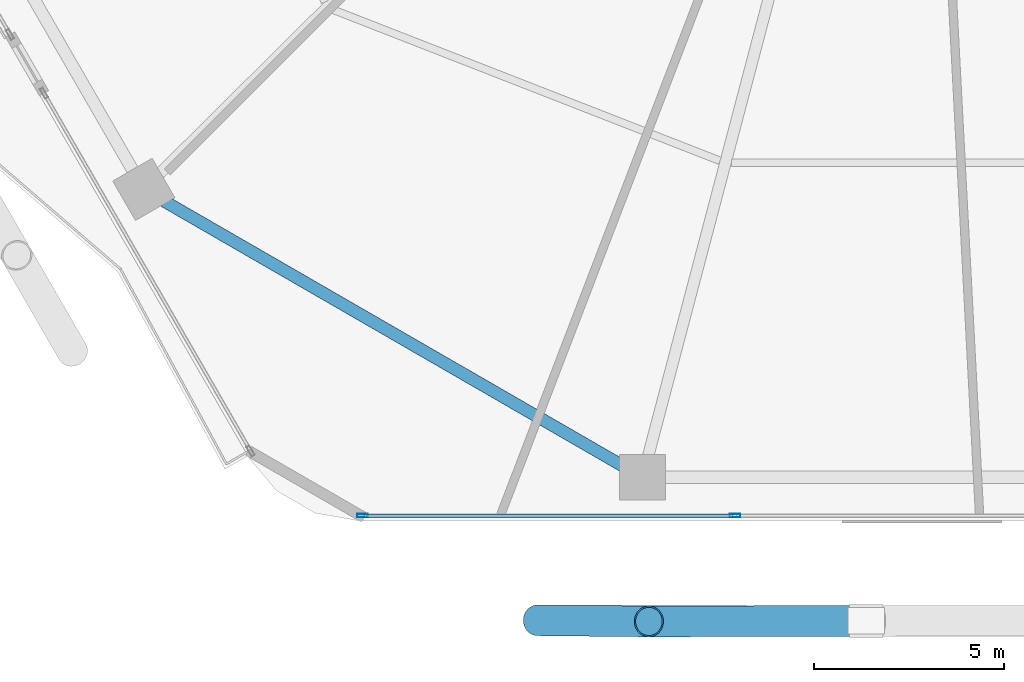
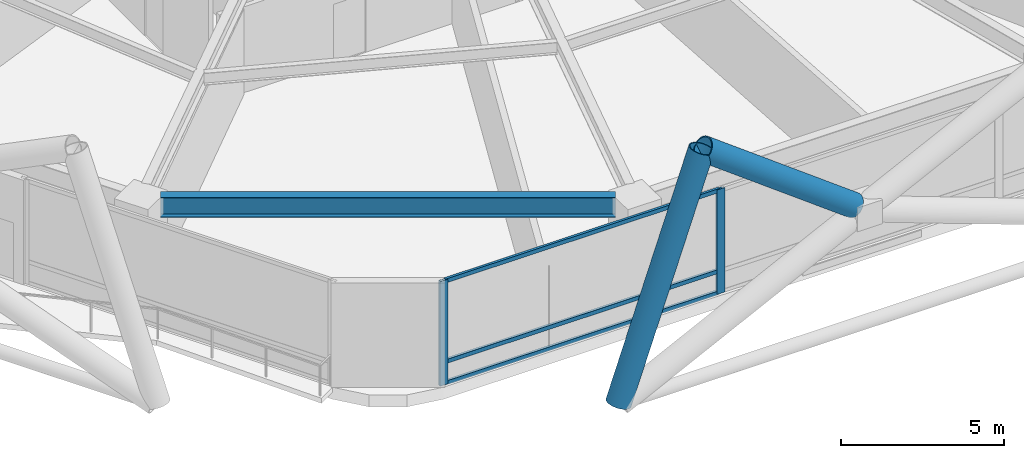
# One storey, part 3 of 31: 7 members, 1 beam, 1 element without a shape of its own.
"""IFC4 building model written with IfcOpenShell, lengths in metres."""

from ifc_helpers import new_model, si_unit, direction, frame, origin, origin_2d, place, context, subcontext, project, spatial, hollow_rectangle, hollow_circle, i_section, extrude, material, material_profile, profile_set, type_object, element, aggregate, save


model = new_model("IFC4")

# Units and contexts
model_context = context("Model", 3, precision=1e-05, world=origin(), true_north=direction((0.0, 1.0)))
body_context = subcontext(model_context, "Body", "Model", "MODEL_VIEW")
ifc_project = project(units=[si_unit("LENGTHUNIT", "METRE"), si_unit("AREAUNIT", "SQUARE_METRE"), si_unit("VOLUMEUNIT", "CUBIC_METRE"), si_unit("PLANEANGLEUNIT", "RADIAN"), si_unit("MASSUNIT", "GRAM", prefix="KILO")], contexts=[model_context])

# Site, building, storey
site_placement = place(None, origin())
site = spatial("IfcSite", under=ifc_project, at=site_placement, CompositionType="ELEMENT")
building_placement = place(site_placement, origin())
building = spatial("IfcBuilding", under=site, at=building_placement, Name="Zuhravey Tower", CompositionType="ELEMENT")
storey_placement = place(building_placement, frame((0.0, 0.0, 7.800048828125)))
storey = spatial("IfcBuildingStorey", under=building, at=storey_placement, Name="L02", CompositionType="ELEMENT", Elevation=7.800048828125)

# Curtain wall, members
ifc_material_1 = material(Name="Thermally broken anodised aluminium", Category="aluminium")
curtain_wall_type = type_object("IfcCurtainWallType", Name="School Low-E Unitised Curtain Wall CW1", PredefinedType="NOTDEFINED", material=ifc_material_1)
curtain_wall_placement = place(storey_placement, origin())
curtain_wall = element("IfcCurtainWall", 1, at=curtain_wall_placement, inside=storey, type_object=curtain_wall_type, Name="L02 CW1 CW-L02-F5-1", PredefinedType="NOTDEFINED")
ifc_material_2 = material(Name="Anodised aluminium", Category="aluminium")
ifc_material_profile_1 = material_profile(ifc_material_2, hollow_rectangle(XDim=0.090087890625, YDim=0.284912109375, WallThickness=0.0048828125, at=origin_2d()), Name="ALU-RHS-90x285x5")
ifc_profile_set_1 = profile_set([ifc_material_profile_1], Name="Anodised aluminium")
member_type_1 = type_object("IfcMemberType", Name="Curtain-Wall Mullion 90x180", PredefinedType="MULLION", material=ifc_profile_set_1)
member_1_placement = place(storey_placement, frame((31.06689453125, 3.04150390625, 0.0), z_axis=(0.0, 0.0, 1.0), x_axis=(0.0, -1.0, 0.0)))
member_1 = element("IfcMember", 2, at=member_1_placement, type_object=member_type_1, Name="CW1 mullion 3", PredefinedType="MULLION", context=body_context, shape_type="SweptSolid", body=[
    extrude(hollow_rectangle(XDim=0.090087890625, YDim=0.284912109375, WallThickness=0.0048828125, at=origin_2d()), origin(), (0.0, 0.0, 1.0), 3.919921875),
])
member_2_placement = place(storey_placement, frame((21.24560546875, 3.04150390625, 0.0), z_axis=(0.0, 0.0, 1.0), x_axis=(0.0, -1.0, 0.0)))
member_2 = element("IfcMember", 3, at=member_2_placement, type_object=member_type_1, Name="CW1 mullion 4", PredefinedType="MULLION", context=body_context, shape_type="SweptSolid", body=[
    extrude(hollow_rectangle(XDim=0.090087890625, YDim=0.284912109375, WallThickness=0.0048828125, at=origin_2d()), origin(), (0.0, 0.0, 1.0), 3.919921875),
])
ifc_material_profile_2 = material_profile(ifc_material_2, hollow_rectangle(XDim=0.090087890625, YDim=0.14990234375, WallThickness=0.0048828125, at=origin_2d()), Name="ALU-RHS-90x150x5")
ifc_profile_set_2 = profile_set([ifc_material_profile_2], Name="Anodised aluminium")
member_type_2 = type_object("IfcMemberType", Name="Curtain-Wall Transom 90x150", PredefinedType="USERDEFINED", material=ifc_profile_set_2)
member_3_placement = place(storey_placement, frame((31.021728515625, 3.04150390625, 0.044921875), z_axis=(-1.0, 0.0, 0.0), x_axis=(0.0, -1.0, 0.0)))
member_3 = element("IfcMember", 4, at=member_3_placement, type_object=member_type_2, Name="CW1 transom 3.1", ObjectType="TRANSOM", PredefinedType="USERDEFINED", context=body_context, shape_type="SweptSolid", body=[
    extrude(hollow_rectangle(XDim=0.090087890625, YDim=0.14990234375, WallThickness=0.0048828125, at=origin_2d()), origin(), (0.0, 0.0, 1.0), 9.731201171875),
])
member_4_placement = place(storey_placement, frame((31.021728515625, 3.04150390625, 0.849853515625), z_axis=(-1.0, 0.0, 0.0), x_axis=(0.0, -1.0, 0.0)))
member_4 = element("IfcMember", 5, at=member_4_placement, type_object=member_type_2, Name="CW1 transom 3.2", ObjectType="TRANSOM", PredefinedType="USERDEFINED", context=body_context, shape_type="SweptSolid", body=[
    extrude(hollow_rectangle(XDim=0.090087890625, YDim=0.14990234375, WallThickness=0.0048828125, at=origin_2d()), origin(), (0.0, 0.0, 1.0), 9.731201171875),
])
member_5_placement = place(storey_placement, frame((31.021728515625, 3.04150390625, 3.875), z_axis=(-1.0, 0.0, 0.0), x_axis=(0.0, -1.0, 0.0)))
member_5 = element("IfcMember", 6, at=member_5_placement, type_object=member_type_2, Name="CW1 transom 3.3", ObjectType="TRANSOM", PredefinedType="USERDEFINED", context=body_context, shape_type="SweptSolid", body=[
    extrude(hollow_rectangle(XDim=0.090087890625, YDim=0.14990234375, WallThickness=0.0048828125, at=origin_2d()), origin(), (0.0, 0.0, 1.0), 9.731201171875),
])
aggregate(curtain_wall, [member_1, member_2, member_3, member_4, member_5])

# Members
ifc_material_3 = material(Name="Steel SM460", Category="steel")
ifc_material_profile_3 = material_profile(ifc_material_3, hollow_circle(Radius=0.406494140625, WallThickness=0.035888671875, at=origin_2d()), Name="CHS-812.8x36")
ifc_profile_set_3 = profile_set([ifc_material_profile_3], Name="Steel SM460")
member_type_3 = type_object("IfcMemberType", Name="Exoskeleton Zone 1 Diagrid CHS813x36", PredefinedType="BRACE", material=ifc_profile_set_3)
member_6_placement = place(storey_placement, frame((25.870849609375, 0.281494140625, -0.64208984375), z_axis=(0.324768383888, -0.003331096666, 0.945787714353), x_axis=(0.010256298411, 0.999947402788, 0.0)))
element("IfcMember", 7, at=member_6_placement, inside=storey, type_object=member_type_3, Name="L02 Face 5 Diagrid Brace 1", PredefinedType="BRACE", context=body_context, shape_type="SweptSolid", body=[
    extrude(hollow_circle(Radius=0.406494140625, WallThickness=0.035888671875, at=origin_2d()), origin(), (0.0, 0.0, 1.0), 9.014892578125),
])
member_7_placement = place(storey_placement, frame((34.211181640625, 0.265625, 3.858642578125), z_axis=(-0.800452617054, -0.002076164869, 0.599392440218), x_axis=(0.002593729899, -0.999996636277, 0.0)))
element("IfcMember", 8, at=member_7_placement, inside=storey, type_object=member_type_3, Name="L02 Face 5 Split Diagrid Brace 3B", PredefinedType="BRACE", context=body_context, shape_type="SweptSolid", body=[
    extrude(hollow_circle(Radius=0.406494140625, WallThickness=0.035888671875, at=origin_2d()), origin(), (0.0, 0.0, 1.0), 6.70263671875),
])

# Beam
ifc_material_4 = material(Name="Steel SM355", Category="steel")
ifc_material_profile_4 = material_profile(ifc_material_4, i_section(OverallWidth=0.320068359375, OverallDepth=0.75, WebThickness=0.013916015625, FlangeThickness=0.02490234375, at=origin_2d()), Name="H-750x320x14x25")
ifc_profile_set_4 = profile_set([ifc_material_profile_4], Name="Steel SM355")
beam_type = type_object("IfcBeamType", Name="Perimeter Ring Beam H750x320", PredefinedType="BEAM", material=ifc_profile_set_4)
beam_placement = place(storey_placement, frame((16.003173828125, 11.341552734375, 3.544921875), z_axis=(0.866029969761, -0.499992091414, 0.0), x_axis=(0.499992091414, 0.866029969761, 0.0)))
element("IfcBeam", 9, at=beam_placement, inside=storey, type_object=beam_type, Name="L02 PB1 BM-L02-PB-08", PredefinedType="BEAM", context=body_context, shape_type="SweptSolid", body=[
    extrude(i_section(OverallWidth=0.320068359375, OverallDepth=0.75, WebThickness=0.013916015625, FlangeThickness=0.02490234375, at=origin_2d()), origin(), (0.0, 0.0, 1.0), 13.977294921875),
])

save(model, "model.ifc")
